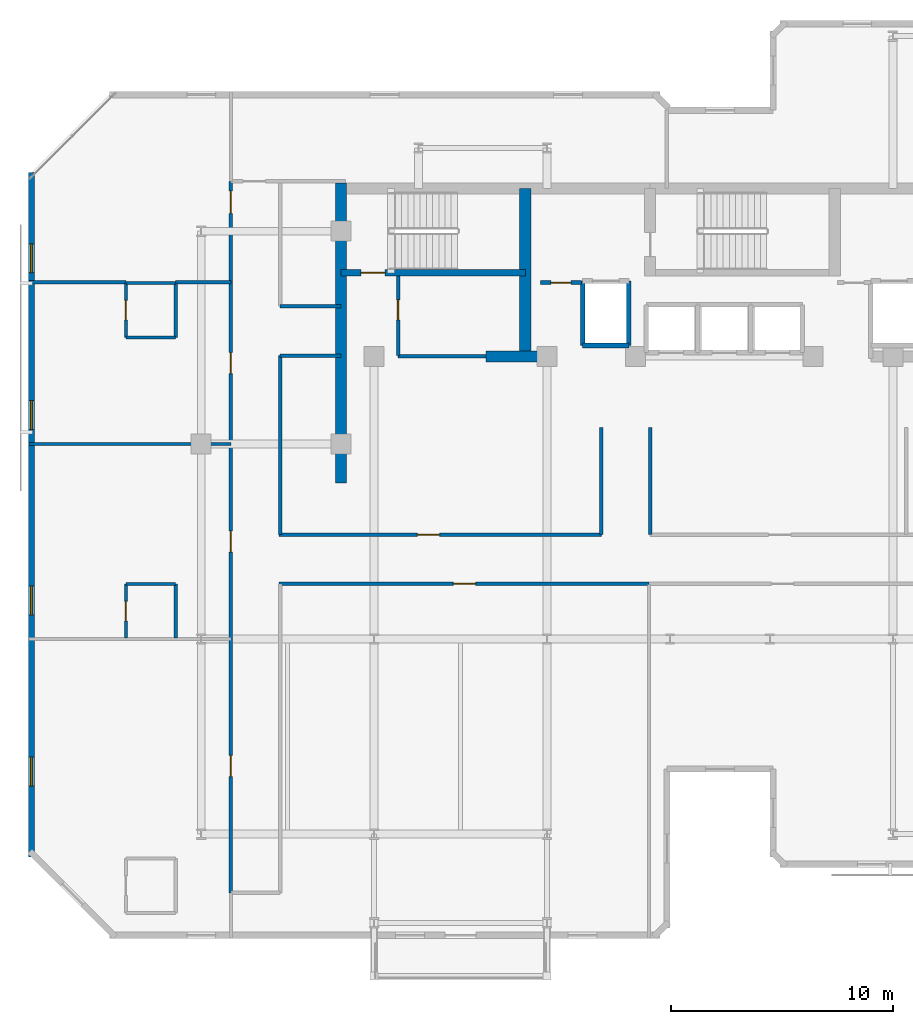
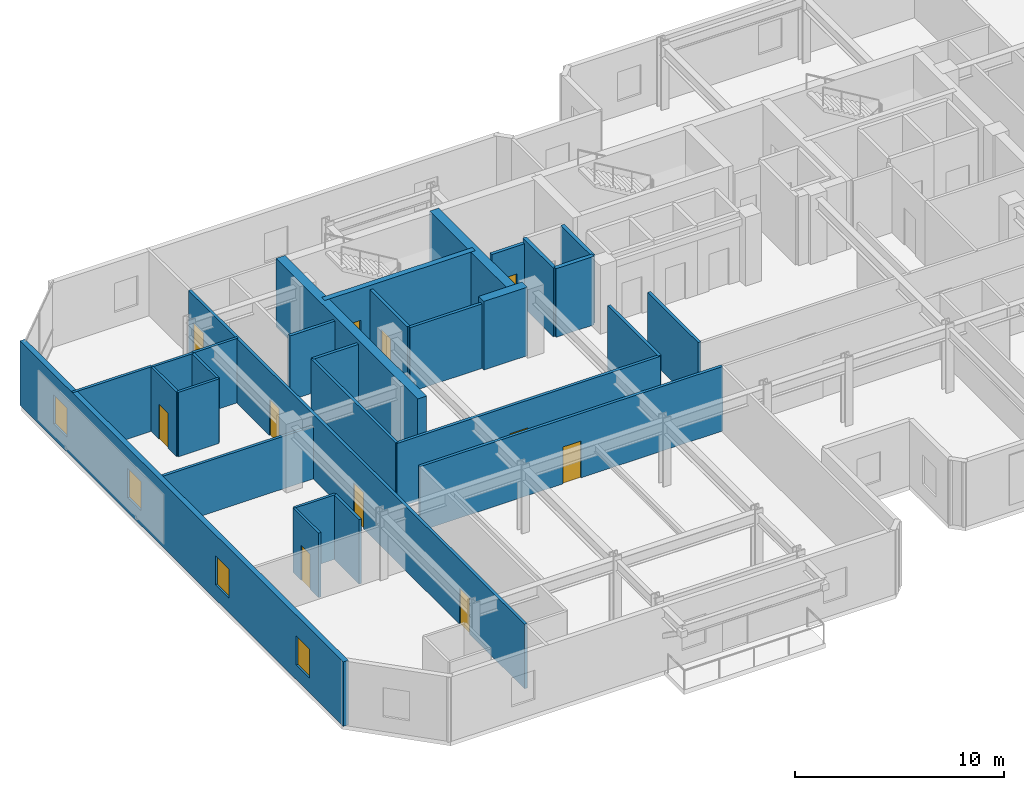
# One storey, part 4 of 10: 29 walls, 11 doors, 4 windows, 15 openings.
"""IFC4 building model written with IfcOpenShell, lengths in metres."""

from ifc_helpers import new_model, si_unit, direction, frame, frame_2d, origin, place, context, subcontext, project, spatial, rectangle, extrude, material, layer, layer_set, type_object, element, fill, save


model = new_model("IFC4")

# Units and contexts
model_context = context("Model", 3, precision=1e-05, world=origin(), true_north=direction((0.0, 1.0)))
body_context = subcontext(model_context, "Body", "Model", "MODEL_VIEW")
ifc_project = project(units=[si_unit("LENGTHUNIT", "METRE"), si_unit("AREAUNIT", "SQUARE_METRE"), si_unit("VOLUMEUNIT", "CUBIC_METRE"), si_unit("PLANEANGLEUNIT", "RADIAN"), si_unit("MASSUNIT", "GRAM", prefix="KILO")], contexts=[model_context])

# Site, building, storey
site_placement = place(None, origin())
site = spatial("IfcSite", under=ifc_project, at=site_placement, CompositionType="ELEMENT")
building_placement = place(site_placement, origin())
building = spatial("IfcBuilding", under=site, at=building_placement, Name="Kestravale Grand Hotel", CompositionType="ELEMENT")
storey_placement = place(building_placement, frame((0.0, 0.0, 277.39990234375)))
storey = spatial("IfcBuildingStorey", under=building, at=storey_placement, Name="L69", CompositionType="ELEMENT", Elevation=277.39990234375)

# Walls
ifc_material_1 = material(Name="Concrete f'c 50 MPa", Category="concrete")
ifc_layer_1 = layer(ifc_material_1, 0.5)
ifc_layer_set_1 = layer_set([ifc_layer_1], Name="EW-CORE-500")
wall_type_1 = type_object("IfcWallType", Name="EW-CORE-500", PredefinedType="SHEAR", material=ifc_layer_set_1)
wall_1_placement = place(storey_placement, frame((21.89990234375, 27.050048828125, 0.0), z_axis=(0.0, 0.0, 1.0), x_axis=(0.0, 1.0, 0.0)))
element("IfcWall", 1, at=wall_1_placement, inside=storey, type_object=wall_type_1, Name="L69 core shear wall W1", PredefinedType="SHEAR", context=body_context, shape_type="SweptSolid", body=[
    extrude(rectangle(XDim=13.52001953125, YDim=0.5, at=frame_2d((6.760009765625, 0.0))), origin(), (0.0, 0.0, 1.0), 4.0),
])
wall_2_placement = place(storey_placement, frame((28.449951171875, 32.75, 0.0), z_axis=(0.0, 0.0, 1.0), x_axis=(1.0, 0.0, 0.0)))
element("IfcWall", 2, at=wall_2_placement, inside=storey, type_object=wall_type_1, Name="L69 core shear wall S1", PredefinedType="SHEAR", context=body_context, shape_type="SweptSolid", body=[
    extrude(rectangle(XDim=2.400146484375, YDim=0.5, at=frame_2d((1.2001953125, 0.0))), origin(), (0.0, 0.0, 1.0), 4.0),
])
wall_3_placement = place(storey_placement, frame((30.219970703125, 33.0, 0.0), z_axis=(0.0, 0.0, 1.0), x_axis=(0.0, 1.0, 0.0)))
element("IfcWall", 3, at=wall_3_placement, inside=storey, type_object=wall_type_1, Name="L69 core shear wall X1", PredefinedType="SHEAR", context=body_context, shape_type="SweptSolid", body=[
    extrude(rectangle(XDim=7.320068359375, YDim=0.5, at=frame_2d((3.66015625, 0.0))), origin(), (0.0, 0.0, 1.0), 4.0),
])

# Wall, openings, windows
ifc_material_2 = material(Name="Precast concrete f'c 45 MPa", Category="concrete")
ifc_layer_2 = layer(ifc_material_2, 0.280029296875)
ifc_layer_set_2 = layer_set([ifc_layer_2], Name="EW-PREC-280")
wall_type_2 = type_object("IfcWallType", Name="EW-PREC-280", PredefinedType="SOLIDWALL", material=ifc_layer_set_2)
wall_4_placement = place(storey_placement, frame((7.93994140625, 41.0400390625, 0.0), z_axis=(0.0, 0.0, 1.0), x_axis=(0.0, -1.0, 0.0)))
wall_4 = element("IfcWall", 4, at=wall_4_placement, inside=storey, type_object=wall_type_2, Name="L69 fluted precast facade wall 19", PredefinedType="SOLIDWALL", context=body_context, shape_type="SweptSolid", body=[
    extrude(rectangle(XDim=30.880126953125, YDim=0.280029296875, at=frame_2d((15.43994140625, 0.0))), origin(), (0.0, 0.0, 1.0), 3.760009765625),
])
opening_1_placement = place(wall_4_placement, frame((3.2099609375, 0.0, 0.85009765625)))
opening_1 = element("IfcOpeningElement", 5, at=opening_1_placement, cuts=wall_4, Name="Opening W-GUEST-1300", PredefinedType="OPENING", context=body_context, shape_type="SweptSolid", body=[
    extrude(rectangle(XDim=1.300048828125, YDim=1.699951171875, at=frame_2d((0.64990234375, 0.85009765625))), frame((0.0, 0.14990234375, 0.0), z_axis=(0.0, -1.0, 0.0), x_axis=(1.0, 0.0, 0.0)), (0.0, 0.0, 1.0), 0.300048828125),
])
opening_2_placement = place(wall_4_placement, frame((10.280029296875, 0.0, 0.85009765625)))
opening_2 = element("IfcOpeningElement", 6, at=opening_2_placement, cuts=wall_4, Name="Opening W-GUEST-1300", PredefinedType="OPENING", context=body_context, shape_type="SweptSolid", body=[
    extrude(rectangle(XDim=1.300048828125, YDim=1.699951171875, at=frame_2d((0.64990234375, 0.85009765625))), frame((0.0, 0.14990234375, 0.0), z_axis=(0.0, -1.0, 0.0), x_axis=(1.0, 0.0, 0.0)), (0.0, 0.0, 1.0), 0.300048828125),
])
opening_3_placement = place(wall_4_placement, frame((18.64990234375, 0.0, 0.85009765625)))
opening_3 = element("IfcOpeningElement", 7, at=opening_3_placement, cuts=wall_4, Name="Opening W-GUEST-1300", PredefinedType="OPENING", context=body_context, shape_type="SweptSolid", body=[
    extrude(rectangle(XDim=1.300048828125, YDim=1.699951171875, at=frame_2d((0.64990234375, 0.85009765625))), frame((0.0, 0.14990234375, 0.0), z_axis=(0.0, -1.0, 0.0), x_axis=(1.0, 0.0, 0.0)), (0.0, 0.0, 1.0), 0.300048828125),
])
opening_4_placement = place(wall_4_placement, frame((26.3701171875, 0.0, 0.85009765625)))
opening_4 = element("IfcOpeningElement", 8, at=opening_4_placement, cuts=wall_4, Name="Opening W-GUEST-1300", PredefinedType="OPENING", context=body_context, shape_type="SweptSolid", body=[
    extrude(rectangle(XDim=1.300048828125, YDim=1.699951171875, at=frame_2d((0.64990234375, 0.85009765625))), frame((0.0, 0.14990234375, 0.0), z_axis=(0.0, -1.0, 0.0), x_axis=(1.0, 0.0, 0.0)), (0.0, 0.0, 1.0), 0.300048828125),
])
ifc_material_3 = material(Name="Insulated low-E double glazing in aluminium frame", Category="aluminium")
window_type = type_object("IfcWindowType", Name="W-GUEST-1300", PartitioningType="SINGLE_PANEL", PredefinedType="WINDOW", material=ifc_material_3)
window_1_placement = place(opening_1_placement, origin())
window_1 = element("IfcWindow", 9, at=window_1_placement, inside=storey, type_object=window_type, Name="L69 exterior window 19.1", OverallHeight=1.699951171875, OverallWidth=1.300048828125, PartitioningType="SINGLE_PANEL", PredefinedType="WINDOW", context=body_context, shape_type="SweptSolid", body=[
    extrude(rectangle(XDim=1.300048828125, YDim=1.699951171875, at=frame_2d((0.64990234375, 0.85009765625))), frame((0.0, 0.030029296875, 0.0), z_axis=(0.0, -1.0, 0.0), x_axis=(1.0, 0.0, 0.0)), (0.0, 0.0, 1.0), 0.06005859375),
])
fill(opening_1, window_1)
window_2_placement = place(opening_2_placement, origin())
window_2 = element("IfcWindow", 10, at=window_2_placement, inside=storey, type_object=window_type, Name="L69 exterior window 19.2", OverallHeight=1.699951171875, OverallWidth=1.300048828125, PartitioningType="SINGLE_PANEL", PredefinedType="WINDOW", context=body_context, shape_type="SweptSolid", body=[
    extrude(rectangle(XDim=1.300048828125, YDim=1.699951171875, at=frame_2d((0.64990234375, 0.85009765625))), frame((0.0, 0.030029296875, 0.0), z_axis=(0.0, -1.0, 0.0), x_axis=(1.0, 0.0, 0.0)), (0.0, 0.0, 1.0), 0.06005859375),
])
fill(opening_2, window_2)
window_3_placement = place(opening_3_placement, origin())
window_3 = element("IfcWindow", 11, at=window_3_placement, inside=storey, type_object=window_type, Name="L69 exterior window 19.3", OverallHeight=1.699951171875, OverallWidth=1.300048828125, PartitioningType="SINGLE_PANEL", PredefinedType="WINDOW", context=body_context, shape_type="SweptSolid", body=[
    extrude(rectangle(XDim=1.300048828125, YDim=1.699951171875, at=frame_2d((0.64990234375, 0.85009765625))), frame((0.0, 0.030029296875, 0.0), z_axis=(0.0, -1.0, 0.0), x_axis=(1.0, 0.0, 0.0)), (0.0, 0.0, 1.0), 0.06005859375),
])
fill(opening_3, window_3)
window_4_placement = place(opening_4_placement, origin())
window_4 = element("IfcWindow", 12, at=window_4_placement, inside=storey, type_object=window_type, Name="L69 exterior window 19.4", OverallHeight=1.699951171875, OverallWidth=1.300048828125, PartitioningType="SINGLE_PANEL", PredefinedType="WINDOW", context=body_context, shape_type="SweptSolid", body=[
    extrude(rectangle(XDim=1.300048828125, YDim=1.699951171875, at=frame_2d((0.64990234375, 0.85009765625))), frame((0.0, 0.030029296875, 0.0), z_axis=(0.0, -1.0, 0.0), x_axis=(1.0, 0.0, 0.0)), (0.0, 0.0, 1.0), 0.06005859375),
])
fill(opening_4, window_4)

# Wall, opening, door
ifc_material_4 = material(Name="Concrete f'c 45 MPa", Category="concrete")
ifc_layer_3 = layer(ifc_material_4, 0.300048828125)
ifc_layer_set_3 = layer_set([ifc_layer_3], Name="EW-STAIR-300")
wall_type_3 = type_object("IfcWallType", Name="EW-STAIR-300", PredefinedType="SHEAR", material=ifc_layer_set_3)
wall_5_placement = place(storey_placement, frame((21.89990234375, 36.52001953125, 0.0), z_axis=(0.0, 0.0, 1.0), x_axis=(1.0, 0.0, 0.0)))
wall_5 = element("IfcWall", 13, at=wall_5_placement, inside=storey, type_object=wall_type_3, Name="L69 stair enclosure shear wall SST1", PredefinedType="SHEAR", context=body_context, shape_type="SweptSolid", body=[
    extrude(rectangle(XDim=8.320068359375, YDim=0.300048828125, at=frame_2d((4.16015625, 0.0))), origin(), (0.0, 0.0, 1.0), 4.0),
])
opening_5_placement = place(wall_5_placement, frame((0.89990234375, 0.0, 0.0)))
opening_5 = element("IfcOpeningElement", 14, at=opening_5_placement, cuts=wall_5, Name="Opening D-ST-1100", PredefinedType="OPENING", context=body_context, shape_type="SweptSolid", body=[
    extrude(rectangle(XDim=1.10009765625, YDim=2.14990234375, at=frame_2d((0.550048828125, 1.074951171875))), frame((0.0, 0.159912109375, 0.0), z_axis=(0.0, -1.0, 0.0), x_axis=(1.0, 0.0, 0.0)), (0.0, 0.0, 1.0), 0.320068359375),
])
ifc_material_5 = material(Name="Galvanised 90-minute fire-rated steel stair door", Category="steel")
door_type_1 = type_object("IfcDoorType", Name="D-ST-1100", OperationType="NOTDEFINED", PredefinedType="DOOR", material=ifc_material_5)
door_1_placement = place(opening_5_placement, origin())
door_1 = element("IfcDoor", 15, at=door_1_placement, inside=storey, type_object=door_type_1, Name="L69 Stair ST-1 fire door", OperationType="SINGLE_SWING_RIGHT", OverallHeight=2.14990234375, OverallWidth=1.10009765625, PredefinedType="DOOR", context=body_context, shape_type="SweptSolid", body=[
    extrude(rectangle(XDim=1.10009765625, YDim=2.14990234375, at=frame_2d((0.550048828125, 1.074951171875))), frame((0.0, 0.02490234375, 0.0), z_axis=(0.0, -1.0, 0.0), x_axis=(1.0, 0.0, 0.0)), (0.0, 0.0, 1.0), 0.050048828125),
])
fill(opening_5, door_1)

ifc_material_6 = material(Name="Acoustic fire-rated gypsum board partition", Category="other")
ifc_layer_4 = layer(ifc_material_6, 0.159912109375)
ifc_layer_set_4 = layer_set([ifc_layer_4], Name="IW-CORR-160")
wall_type_4 = type_object("IfcWallType", Name="IW-CORR-160", PredefinedType="PARTITIONING", material=ifc_layer_set_4)
wall_6_placement = place(storey_placement, frame((24.47998046875, 32.800048828125, 0.0), z_axis=(0.0, 0.0, 1.0), x_axis=(0.0, 1.0, 0.0)))
wall_6 = element("IfcWall", 16, at=wall_6_placement, inside=storey, type_object=wall_type_4, Name="L69 west core vestibule wall", PredefinedType="PARTITIONING", context=body_context, shape_type="SweptSolid", body=[
    extrude(rectangle(XDim=3.570068359375, YDim=0.159912109375, at=frame_2d((1.78515625, 0.0))), origin(), (0.0, 0.0, 1.0), 3.760009765625),
])
opening_6_placement = place(wall_6_placement, frame((1.603515625, 0.0, 0.0)))
opening_6 = element("IfcOpeningElement", 17, at=opening_6_placement, cuts=wall_6, Name="Opening D-SH-900", PredefinedType="OPENING", context=body_context, shape_type="SweptSolid", body=[
    extrude(rectangle(XDim=0.89990234375, YDim=2.10009765625, at=frame_2d((0.449951171875, 1.050048828125))), frame((0.0, 0.08984375, 0.0), z_axis=(0.0, -1.0, 0.0), x_axis=(1.0, 0.0, 0.0)), (0.0, 0.0, 1.0), 0.179931640625),
])
ifc_material_7 = material(Name="Galvanised 90-minute shaft and service fire door", Category="steel")
door_type_2 = type_object("IfcDoorType", Name="D-SH-900", OperationType="NOTDEFINED", PredefinedType="DOOR", material=ifc_material_7)
door_2_placement = place(opening_6_placement, origin())
door_2 = element("IfcDoor", 18, at=door_2_placement, inside=storey, type_object=door_type_2, Name="D-L69-HK", OperationType="SINGLE_SWING_RIGHT", OverallHeight=2.10009765625, OverallWidth=0.89990234375, PredefinedType="DOOR", context=body_context, shape_type="SweptSolid", body=[
    extrude(rectangle(XDim=0.89990234375, YDim=2.10009765625, at=frame_2d((0.449951171875, 1.050048828125))), frame((0.0, 0.02490234375, 0.0), z_axis=(0.0, -1.0, 0.0), x_axis=(1.0, 0.0, 0.0)), (0.0, 0.0, 1.0), 0.050048828125),
])
fill(opening_6, door_2)

# Wall
wall_7_placement = place(storey_placement, frame((24.47998046875, 32.75, 0.0), z_axis=(0.0, 0.0, 1.0), x_axis=(1.0, 0.0, 0.0)))
element("IfcWall", 19, at=wall_7_placement, inside=storey, type_object=wall_type_4, Name="W-L69-CWS", PredefinedType="PARTITIONING", context=body_context, shape_type="SweptSolid", body=[
    extrude(rectangle(XDim=3.969970703125, YDim=0.159912109375, at=frame_2d((1.98486328125, 0.0))), origin(), (0.0, 0.0, 1.0), 3.760009765625),
])

# Wall, opening, door
wall_8_placement = place(storey_placement, frame((19.10009765625, 24.7099609375, 0.0), z_axis=(0.0, 0.0, 1.0), x_axis=(1.0, 0.0, 0.0)))
wall_8 = element("IfcWall", 20, at=wall_8_placement, inside=storey, type_object=wall_type_4, Name="W-L69-CW-N", PredefinedType="PARTITIONING", context=body_context, shape_type="SweptSolid", body=[
    extrude(rectangle(XDim=14.5498046875, YDim=0.159912109375, at=frame_2d((7.27490234375, 0.0))), origin(), (0.0, 0.0, 1.0), 3.760009765625),
])
opening_7_placement = place(wall_8_placement, frame((6.25, 0.0, 0.0)))
opening_7 = element("IfcOpeningElement", 21, at=opening_7_placement, cuts=wall_8, Name="Opening D-GUEST-1000", PredefinedType="OPENING", context=body_context, shape_type="SweptSolid", body=[
    extrude(rectangle(XDim=1.0, YDim=2.14990234375, at=frame_2d((0.5, 1.074951171875))), frame((0.0, 0.08984375, 0.0), z_axis=(0.0, -1.0, 0.0), x_axis=(1.0, 0.0, 0.0)), (0.0, 0.0, 1.0), 0.179931640625),
])
ifc_material_8 = material(Name="Accessible walnut veneer hotel entrance fire door", Category="wood")
door_type_3 = type_object("IfcDoorType", Name="D-GUEST-1000", OperationType="NOTDEFINED", PredefinedType="DOOR", material=ifc_material_8)
door_3_placement = place(opening_7_placement, origin())
door_3 = element("IfcDoor", 22, at=door_3_placement, inside=storey, type_object=door_type_3, Name="D-L69-RECL-W", OperationType="SINGLE_SWING_RIGHT", OverallHeight=2.14990234375, OverallWidth=1.0, PredefinedType="DOOR", context=body_context, shape_type="SweptSolid", body=[
    extrude(rectangle(XDim=1.0, YDim=2.14990234375, at=frame_2d((0.5, 1.074951171875))), frame((0.0, 0.02490234375, 0.0), z_axis=(0.0, -1.0, 0.0), x_axis=(1.0, 0.0, 0.0)), (0.0, 0.0, 1.0), 0.050048828125),
])
fill(opening_7, door_3)

# Walls
for number, where, z_axis, x_axis, name in (
    (23, (33.64990234375, 24.7099609375, 0.0), (0.0, 0.0, 1.0), (0.0, 1.0, 0.0), "W-L69-TRUNK-W"),
    (24, (35.85009765625, 24.7099609375, 0.0), (0.0, 0.0, 1.0), (0.0, 1.0, 0.0), "W-L69-TRUNK-E"),
):
    element("IfcWall", number, at=place(storey_placement, frame(where, z_axis=z_axis, x_axis=x_axis)), inside=storey, type_object=wall_type_4, Name=name, PredefinedType="PARTITIONING", context=body_context, shape_type="SweptSolid", body=[
        extrude(rectangle(XDim=4.840087890625, YDim=0.159912109375, at=frame_2d((2.419921875, 0.0))), origin(), (0.0, 0.0, 1.0), 3.760009765625),
    ])

# Wall, opening, door
wall_9_placement = place(storey_placement, frame((19.10009765625, 22.489990234375, 0.0), z_axis=(0.0, 0.0, 1.0), x_axis=(1.0, 0.0, 0.0)))
wall_9 = element("IfcWall", 25, at=wall_9_placement, inside=storey, type_object=wall_type_4, Name="W-L69-CW-S", PredefinedType="PARTITIONING", context=body_context, shape_type="SweptSolid", body=[
    extrude(rectangle(XDim=16.699951171875, YDim=0.159912109375, at=frame_2d((8.35009765625, 0.0))), origin(), (0.0, 0.0, 1.0), 3.760009765625),
])
opening_8_placement = place(wall_9_placement, frame((7.8798828125, 0.0, 0.0)))
opening_8 = element("IfcOpeningElement", 26, at=opening_8_placement, cuts=wall_9, Name="Opening D-GUEST-1000", PredefinedType="OPENING", context=body_context, shape_type="SweptSolid", body=[
    extrude(rectangle(XDim=1.0, YDim=2.14990234375, at=frame_2d((0.5, 1.074951171875))), frame((0.0, 0.08984375, 0.0), z_axis=(0.0, -1.0, 0.0), x_axis=(1.0, 0.0, 0.0)), (0.0, 0.0, 1.0), 0.179931640625),
])
door_4_placement = place(opening_8_placement, origin())
door_4 = element("IfcDoor", 27, at=door_4_placement, inside=storey, type_object=door_type_3, Name="D-L69-AMW", OperationType="SINGLE_SWING_LEFT", OverallHeight=2.14990234375, OverallWidth=1.0, PredefinedType="DOOR", context=body_context, shape_type="SweptSolid", body=[
    extrude(rectangle(XDim=1.0, YDim=2.14990234375, at=frame_2d((0.5, 1.074951171875))), frame((0.0, 0.02490234375, 0.0), z_axis=(0.0, -1.0, 0.0), x_axis=(1.0, 0.0, 0.0)), (0.0, 0.0, 1.0), 0.050048828125),
])
fill(opening_8, door_4)

# Wall, openings, doors
wall_10_placement = place(storey_placement, frame((16.93994140625, 8.550048828125, 0.0), z_axis=(0.0, 0.0, 1.0), x_axis=(0.0, 1.0, 0.0)))
wall_10 = element("IfcWall", 28, at=wall_10_placement, inside=storey, type_object=wall_type_4, Name="W-L69-SW-W", PredefinedType="PARTITIONING", context=body_context, shape_type="SweptSolid", body=[
    extrude(rectangle(XDim=32.099853515625, YDim=0.159912109375, at=frame_2d((16.0498046875, 0.0))), origin(), (0.0, 0.0, 1.0), 3.760009765625),
])
opening_9_placement = place(wall_10_placement, frame((5.25, 0.0, 0.0)))
opening_9 = element("IfcOpeningElement", 29, at=opening_9_placement, cuts=wall_10, Name="Opening D-GUEST-950", PredefinedType="OPENING", context=body_context, shape_type="SweptSolid", body=[
    extrude(rectangle(XDim=0.949951171875, YDim=2.10009765625, at=frame_2d((0.47509765625, 1.050048828125))), frame((0.0, 0.08984375, 0.0), z_axis=(0.0, -1.0, 0.0), x_axis=(1.0, 0.0, 0.0)), (0.0, 0.0, 1.0), 0.179931640625),
])
opening_10_placement = place(wall_10_placement, frame((15.375, 0.0, 0.0)))
opening_10 = element("IfcOpeningElement", 30, at=opening_10_placement, cuts=wall_10, Name="Opening D-GUEST-950", PredefinedType="OPENING", context=body_context, shape_type="SweptSolid", body=[
    extrude(rectangle(XDim=0.949951171875, YDim=2.10009765625, at=frame_2d((0.47509765625, 1.050048828125))), frame((0.0, 0.08984375, 0.0), z_axis=(0.0, -1.0, 0.0), x_axis=(1.0, 0.0, 0.0)), (0.0, 0.0, 1.0), 0.179931640625),
])
opening_11_placement = place(wall_10_placement, frame((23.425048828125, 0.0, 0.0)))
opening_11 = element("IfcOpeningElement", 31, at=opening_11_placement, cuts=wall_10, Name="Opening D-GUEST-950", PredefinedType="OPENING", context=body_context, shape_type="SweptSolid", body=[
    extrude(rectangle(XDim=0.949951171875, YDim=2.10009765625, at=frame_2d((0.47509765625, 1.050048828125))), frame((0.0, 0.08984375, 0.0), z_axis=(0.0, -1.0, 0.0), x_axis=(1.0, 0.0, 0.0)), (0.0, 0.0, 1.0), 0.179931640625),
])
opening_12_placement = place(wall_10_placement, frame((30.659912109375, 0.0, 0.0)))
opening_12 = element("IfcOpeningElement", 32, at=opening_12_placement, cuts=wall_10, Name="Opening D-GUEST-1000", PredefinedType="OPENING", context=body_context, shape_type="SweptSolid", body=[
    extrude(rectangle(XDim=1.0, YDim=2.14990234375, at=frame_2d((0.5, 1.074951171875))), frame((0.0, 0.08984375, 0.0), z_axis=(0.0, -1.0, 0.0), x_axis=(1.0, 0.0, 0.0)), (0.0, 0.0, 1.0), 0.179931640625),
])
door_5_placement = place(opening_12_placement, origin())
door_5 = element("IfcDoor", 33, at=door_5_placement, inside=storey, type_object=door_type_3, Name="D-L69-AMWW", OperationType="SINGLE_SWING_LEFT", OverallHeight=2.14990234375, OverallWidth=1.0, PredefinedType="DOOR", context=body_context, shape_type="SweptSolid", body=[
    extrude(rectangle(XDim=1.0, YDim=2.14990234375, at=frame_2d((0.5, 1.074951171875))), frame((0.0, 0.02490234375, 0.0), z_axis=(0.0, -1.0, 0.0), x_axis=(1.0, 0.0, 0.0)), (0.0, 0.0, 1.0), 0.050048828125),
])
fill(opening_12, door_5)
ifc_material_9 = material(Name="Walnut veneer hotel guestroom entrance fire door", Category="wood")
door_type_4 = type_object("IfcDoorType", Name="D-GUEST-950", OperationType="NOTDEFINED", PredefinedType="DOOR", material=ifc_material_9)
door_6_placement = place(opening_9_placement, origin())
door_6 = element("IfcDoor", 34, at=door_6_placement, inside=storey, type_object=door_type_4, Name="D-L69-U02-ENT", OperationType="SINGLE_SWING_RIGHT", OverallHeight=2.10009765625, OverallWidth=0.949951171875, PredefinedType="DOOR", context=body_context, shape_type="SweptSolid", body=[
    extrude(rectangle(XDim=0.949951171875, YDim=2.10009765625, at=frame_2d((0.47509765625, 1.050048828125))), frame((0.0, 0.02490234375, 0.0), z_axis=(0.0, -1.0, 0.0), x_axis=(1.0, 0.0, 0.0)), (0.0, 0.0, 1.0), 0.050048828125),
])
fill(opening_9, door_6)
door_7_placement = place(opening_10_placement, origin())
door_7 = element("IfcDoor", 35, at=door_7_placement, inside=storey, type_object=door_type_4, Name="D-L69-U03-ENT", OperationType="SINGLE_SWING_RIGHT", OverallHeight=2.10009765625, OverallWidth=0.949951171875, PredefinedType="DOOR", context=body_context, shape_type="SweptSolid", body=[
    extrude(rectangle(XDim=0.949951171875, YDim=2.10009765625, at=frame_2d((0.47509765625, 1.050048828125))), frame((0.0, 0.02490234375, 0.0), z_axis=(0.0, -1.0, 0.0), x_axis=(1.0, 0.0, 0.0)), (0.0, 0.0, 1.0), 0.050048828125),
])
fill(opening_10, door_7)
door_8_placement = place(opening_11_placement, origin())
door_8 = element("IfcDoor", 36, at=door_8_placement, inside=storey, type_object=door_type_4, Name="D-L69-U04-ENT", OperationType="SINGLE_SWING_RIGHT", OverallHeight=2.10009765625, OverallWidth=0.949951171875, PredefinedType="DOOR", context=body_context, shape_type="SweptSolid", body=[
    extrude(rectangle(XDim=0.949951171875, YDim=2.10009765625, at=frame_2d((0.47509765625, 1.050048828125))), frame((0.0, 0.02490234375, 0.0), z_axis=(0.0, -1.0, 0.0), x_axis=(1.0, 0.0, 0.0)), (0.0, 0.0, 1.0), 0.050048828125),
])
fill(opening_11, door_8)

# Walls
for number, where, z_axis, x_axis, name in (
    (37, (19.159912109375, 35.02001953125, 0.0), (0.0, 0.0, 1.0), (1.0, 0.0, 0.0), "W-L69-SW-CN"),
    (38, (19.159912109375, 32.780029296875, 0.0), (0.0, 0.0, 1.0), (1.0, 0.0, 0.0), "W-L69-SW-CS"),
):
    element("IfcWall", number, at=place(storey_placement, frame(where, z_axis=z_axis, x_axis=x_axis)), inside=storey, type_object=wall_type_4, Name=name, PredefinedType="PARTITIONING", context=body_context, shape_type="SweptSolid", body=[
        extrude(rectangle(XDim=2.739990234375, YDim=0.159912109375, at=frame_2d((1.3701171875, 0.0))), origin(), (0.0, 0.0, 1.0), 3.760009765625),
    ])

# Wall, opening, door
ifc_material_10 = material(Name="Fire-rated gypsum board on steel studs with mineral wool", Category="steel")
ifc_layer_5 = layer(ifc_material_10, 0.179931640625)
ifc_layer_set_5 = layer_set([ifc_layer_5], Name="IW-FSAE-180")
wall_type_5 = type_object("IfcWallType", Name="IW-FSAE-180", PredefinedType="PARTITIONING", material=ifc_layer_set_5)
wall_11_placement = place(storey_placement, frame((30.89990234375, 36.080078125, 0.0), z_axis=(0.0, 0.0, 1.0), x_axis=(1.0, 0.0, 0.0)))
wall_11 = element("IfcWall", 39, at=wall_11_placement, inside=storey, type_object=wall_type_5, Name="L69 FSAE Lobby 1 smoke barrier", PredefinedType="PARTITIONING", context=body_context, shape_type="SweptSolid", body=[
    extrude(rectangle(XDim=1.85009765625, YDim=0.179931640625, at=frame_2d((0.925048828125, 0.0))), origin(), (0.0, 0.0, 1.0), 3.760009765625),
])
opening_13_placement = place(wall_11_placement, frame((0.47998046875, 0.0, 0.0)))
opening_13 = element("IfcOpeningElement", 40, at=opening_13_placement, cuts=wall_11, Name="Opening D-FSAE-1000", PredefinedType="OPENING", context=body_context, shape_type="SweptSolid", body=[
    extrude(rectangle(XDim=0.89990234375, YDim=2.14990234375, at=frame_2d((0.449951171875, 1.074951171875))), frame((0.0, 0.099853515625, 0.0), z_axis=(0.0, -1.0, 0.0), x_axis=(1.0, 0.0, 0.0)), (0.0, 0.0, 1.0), 0.199951171875),
])
ifc_material_11 = material(Name="Smoke-gasketed FSAE lobby fire door", Category="steel")
door_type_5 = type_object("IfcDoorType", Name="D-FSAE-1000", OperationType="NOTDEFINED", PredefinedType="DOOR", material=ifc_material_11)
door_9_placement = place(opening_13_placement, origin())
door_9 = element("IfcDoor", 41, at=door_9_placement, inside=storey, type_object=door_type_5, Name="L69 FSAE Lobby 1 fire door", OperationType="SINGLE_SWING_RIGHT", OverallHeight=2.14990234375, OverallWidth=0.89990234375, PredefinedType="DOOR", context=body_context, shape_type="SweptSolid", body=[
    extrude(rectangle(XDim=0.89990234375, YDim=2.14990234375, at=frame_2d((0.449951171875, 1.074951171875))), frame((0.0, 0.02490234375, 0.0), z_axis=(0.0, -1.0, 0.0), x_axis=(1.0, 0.0, 0.0)), (0.0, 0.0, 1.0), 0.050048828125),
])
fill(opening_13, door_9)

ifc_material_12 = material(Name="Moisture-resistant tile-backer plumbing chase wall", Category="other")
ifc_layer_6 = layer(ifc_material_12, 0.139892578125)
ifc_layer_set_6 = layer_set([ifc_layer_6], Name="IW-PLB-140")
wall_type_6 = type_object("IfcWallType", Name="IW-PLB-140", PredefinedType="PLUMBINGWALL", material=ifc_layer_set_6)
wall_12_placement = place(storey_placement, frame((12.199951171875, 20.0400390625, 0.0), z_axis=(0.0, 0.0, 1.0), x_axis=(0.0, 1.0, 0.0)))
wall_12 = element("IfcWall", 42, at=wall_12_placement, inside=storey, type_object=wall_type_6, Name="W-L69-U03-BW", PredefinedType="PLUMBINGWALL", context=body_context, shape_type="SweptSolid", body=[
    extrude(rectangle(XDim=2.449951171875, YDim=0.139892578125, at=frame_2d((1.22509765625, 0.0))), origin(), (0.0, 0.0, 1.0), 3.760009765625),
])
opening_14_placement = place(wall_12_placement, frame((0.784912109375, 0.0, 0.0)))
opening_14 = element("IfcOpeningElement", 43, at=opening_14_placement, cuts=wall_12, Name="Opening D-BATH-880", PredefinedType="OPENING", context=body_context, shape_type="SweptSolid", body=[
    extrude(rectangle(XDim=0.8798828125, YDim=2.050048828125, at=frame_2d((0.43994140625, 1.02490234375))), frame((0.0, 0.079833984375, 0.0), z_axis=(0.0, -1.0, 0.0), x_axis=(1.0, 0.0, 0.0)), (0.0, 0.0, 1.0), 0.159912109375),
])
ifc_material_13 = material(Name="Moisture-sealed walnut en-suite bathroom door", Category="wood")
door_type_6 = type_object("IfcDoorType", Name="D-BATH-880", OperationType="NOTDEFINED", PredefinedType="DOOR", material=ifc_material_13)
door_10_placement = place(opening_14_placement, origin())
door_10 = element("IfcDoor", 44, at=door_10_placement, inside=storey, type_object=door_type_6, Name="D-L69-U03-BATH", OperationType="SINGLE_SWING_LEFT", OverallHeight=2.050048828125, OverallWidth=0.8798828125, PredefinedType="DOOR", context=body_context, shape_type="SweptSolid", body=[
    extrude(rectangle(XDim=0.8798828125, YDim=2.050048828125, at=frame_2d((0.43994140625, 1.02490234375))), frame((0.0, 0.02490234375, 0.0), z_axis=(0.0, -1.0, 0.0), x_axis=(1.0, 0.0, 0.0)), (0.0, 0.0, 1.0), 0.050048828125),
])
fill(opening_14, door_10)

# Walls
wall_13_placement = place(storey_placement, frame((14.449951171875, 20.0400390625, 0.0), z_axis=(0.0, 0.0, 1.0), x_axis=(0.0, 1.0, 0.0)))
element("IfcWall", 45, at=wall_13_placement, inside=storey, type_object=wall_type_6, Name="W-L69-U03-BE", PredefinedType="PLUMBINGWALL", context=body_context, shape_type="SweptSolid", body=[
    extrude(rectangle(XDim=2.449951171875, YDim=0.139892578125, at=frame_2d((1.22509765625, 0.0))), origin(), (0.0, 0.0, 1.0), 3.760009765625),
])
wall_14_placement = place(storey_placement, frame((12.199951171875, 22.489990234375, 0.0), z_axis=(0.0, 0.0, 1.0), x_axis=(1.0, 0.0, 0.0)))
element("IfcWall", 46, at=wall_14_placement, inside=storey, type_object=wall_type_6, Name="W-L69-U03-BN", PredefinedType="PLUMBINGWALL", context=body_context, shape_type="SweptSolid", body=[
    extrude(rectangle(XDim=2.25, YDim=0.139892578125, at=frame_2d((1.125, 0.0))), origin(), (0.0, 0.0, 1.0), 3.760009765625),
])

# Wall, opening, door
wall_15_placement = place(storey_placement, frame((12.199951171875, 33.610107421875, 0.0), z_axis=(0.0, 0.0, 1.0), x_axis=(0.0, 1.0, 0.0)))
wall_15 = element("IfcWall", 47, at=wall_15_placement, inside=storey, type_object=wall_type_6, Name="W-L69-U04-BW", PredefinedType="PLUMBINGWALL", context=body_context, shape_type="SweptSolid", body=[
    extrude(rectangle(XDim=2.449951171875, YDim=0.139892578125, at=frame_2d((1.22509765625, 0.0))), origin(), (0.0, 0.0, 1.0), 3.760009765625),
])
opening_15_placement = place(wall_15_placement, frame((0.784912109375, 0.0, 0.0)))
opening_15 = element("IfcOpeningElement", 48, at=opening_15_placement, cuts=wall_15, Name="Opening D-BATH-880", PredefinedType="OPENING", context=body_context, shape_type="SweptSolid", body=[
    extrude(rectangle(XDim=0.8798828125, YDim=2.050048828125, at=frame_2d((0.43994140625, 1.02490234375))), frame((0.0, 0.079833984375, 0.0), z_axis=(0.0, -1.0, 0.0), x_axis=(1.0, 0.0, 0.0)), (0.0, 0.0, 1.0), 0.159912109375),
])
door_11_placement = place(opening_15_placement, origin())
door_11 = element("IfcDoor", 49, at=door_11_placement, inside=storey, type_object=door_type_6, Name="D-L69-U04-BATH", OperationType="SINGLE_SWING_LEFT", OverallHeight=2.050048828125, OverallWidth=0.8798828125, PredefinedType="DOOR", context=body_context, shape_type="SweptSolid", body=[
    extrude(rectangle(XDim=0.8798828125, YDim=2.050048828125, at=frame_2d((0.43994140625, 1.02490234375))), frame((0.0, 0.02490234375, 0.0), z_axis=(0.0, -1.0, 0.0), x_axis=(1.0, 0.0, 0.0)), (0.0, 0.0, 1.0), 0.050048828125),
])
fill(opening_15, door_11)

# Walls
wall_16_placement = place(storey_placement, frame((14.449951171875, 33.610107421875, 0.0), z_axis=(0.0, 0.0, 1.0), x_axis=(0.0, 1.0, 0.0)))
element("IfcWall", 50, at=wall_16_placement, inside=storey, type_object=wall_type_6, Name="W-L69-U04-BE", PredefinedType="PLUMBINGWALL", context=body_context, shape_type="SweptSolid", body=[
    extrude(rectangle(XDim=2.449951171875, YDim=0.139892578125, at=frame_2d((1.22509765625, 0.0))), origin(), (0.0, 0.0, 1.0), 3.760009765625),
])
for number, where, z_axis, x_axis, name in (
    (51, (12.199951171875, 33.610107421875, 0.0), (0.0, 0.0, 1.0), (1.0, 0.0, 0.0), "W-L69-U04-BS"),
    (52, (12.199951171875, 36.06005859375, 0.0), (0.0, 0.0, 1.0), (1.0, 0.0, 0.0), "W-L69-U04-BN"),
):
    element("IfcWall", number, at=place(storey_placement, frame(where, z_axis=z_axis, x_axis=x_axis)), inside=storey, type_object=wall_type_6, Name=name, PredefinedType="PLUMBINGWALL", context=body_context, shape_type="SweptSolid", body=[
        extrude(rectangle(XDim=2.25, YDim=0.139892578125, at=frame_2d((1.125, 0.0))), origin(), (0.0, 0.0, 1.0), 3.760009765625),
    ])
ifc_material_14 = material(Name="Concrete f'c 45 MPa", Category="concrete")
ifc_layer_7 = layer(ifc_material_14, 0.199951171875)
ifc_layer_set_7 = layer_set([ifc_layer_7], Name="IW-SHAFT-200")
wall_type_7 = type_object("IfcWallType", Name="IW-SHAFT-200", PredefinedType="SHEAR", material=ifc_layer_set_7)
for number, where, z_axis, x_axis, name in (
    (53, (32.804931640625, 33.2451171875, 0.0), (0.0, 0.0, 1.0), (0.0, 1.0, 0.0), "L69 FL-1 west shaft wall"),
    (54, (34.89501953125, 33.2451171875, 0.0), (0.0, 0.0, 1.0), (0.0, 1.0, 0.0), "L69 FL-1 east shaft wall"),
):
    element("IfcWall", number, at=place(storey_placement, frame(where, z_axis=z_axis, x_axis=x_axis)), inside=storey, type_object=wall_type_7, Name=name, PredefinedType="SHEAR", context=body_context, shape_type="SweptSolid", body=[
        extrude(rectangle(XDim=2.909912109375, YDim=0.199951171875, at=frame_2d((1.455078125, 0.0))), origin(), (0.0, 0.0, 1.0), 4.0),
    ])
ifc_material_15 = material(Name="Concrete f'c 45 MPa", Category="concrete")
ifc_layer_8 = layer(ifc_material_15, 0.219970703125)
ifc_layer_set_8 = layer_set([ifc_layer_8], Name="IW-SHAFT-220")
wall_type_8 = type_object("IfcWallType", Name="IW-SHAFT-220", PredefinedType="SHEAR", material=ifc_layer_set_8)
wall_17_placement = place(storey_placement, frame((32.804931640625, 33.2451171875, 0.0), z_axis=(0.0, 0.0, 1.0), x_axis=(1.0, 0.0, 0.0)))
element("IfcWall", 55, at=wall_17_placement, inside=storey, type_object=wall_type_8, Name="L69 FL-1 south shaft wall", PredefinedType="SHEAR", context=body_context, shape_type="SweptSolid", body=[
    extrude(rectangle(XDim=2.090087890625, YDim=0.219970703125, at=frame_2d((1.044921875, 0.0))), origin(), (0.0, 0.0, 1.0), 4.0),
])
ifc_material_16 = material(Name="Double-stud STC 52 acoustic demising partition", Category="other")
ifc_layer_9 = layer(ifc_material_16, 0.14990234375)
ifc_layer_set_9 = layer_set([ifc_layer_9], Name="IW-UNIT-150")
wall_type_9 = type_object("IfcWallType", Name="IW-UNIT-150", PredefinedType="PARTITIONING", material=ifc_layer_set_9)
wall_18_placement = place(storey_placement, frame((19.159912109375, 24.7099609375, 0.0), z_axis=(0.0, 0.0, 1.0), x_axis=(0.0, 1.0, 0.0)))
element("IfcWall", 56, at=wall_18_placement, inside=storey, type_object=wall_type_9, Name="W-L69-RCLW-W", PredefinedType="PARTITIONING", context=body_context, shape_type="SweptSolid", body=[
    extrude(rectangle(XDim=8.090087890625, YDim=0.14990234375, at=frame_2d((4.044921875, 0.0))), origin(), (0.0, 0.0, 1.0), 3.760009765625),
])
wall_19_placement = place(storey_placement, frame((7.820068359375, 28.800048828125, 0.0), z_axis=(0.0, 0.0, 1.0), x_axis=(1.0, 0.0, 0.0)))
element("IfcWall", 57, at=wall_19_placement, inside=storey, type_object=wall_type_9, Name="W-L69-WW-2", PredefinedType="PARTITIONING", context=body_context, shape_type="SweptSolid", body=[
    extrude(rectangle(XDim=9.119873046875, YDim=0.14990234375, at=frame_2d((4.56005859375, 0.0))), origin(), (0.0, 0.0, 1.0), 3.064208984375),
])
wall_20_placement = place(storey_placement, frame((7.820068359375, 36.10009765625, 0.0), z_axis=(0.0, 0.0, 1.0), x_axis=(1.0, 0.0, 0.0)))
element("IfcWall", 58, at=wall_20_placement, inside=storey, type_object=wall_type_9, Name="W-L69-WW-3", PredefinedType="PARTITIONING", context=body_context, shape_type="SweptSolid", body=[
    extrude(rectangle(XDim=4.3798828125, YDim=0.14990234375, at=frame_2d((2.18994140625, 0.0))), origin(), (0.0, 0.0, 1.0), 3.760009765625),
])
wall_21_placement = place(storey_placement, frame((14.449951171875, 36.10009765625, 0.0), z_axis=(0.0, 0.0, 1.0), x_axis=(1.0, 0.0, 0.0)))
element("IfcWall", 59, at=wall_21_placement, inside=storey, type_object=wall_type_9, Name="W-L69-WW-3", PredefinedType="PARTITIONING", context=body_context, shape_type="SweptSolid", body=[
    extrude(rectangle(XDim=2.489990234375, YDim=0.14990234375, at=frame_2d((1.2451171875, 0.0))), origin(), (0.0, 0.0, 1.0), 3.760009765625),
])

save(model, "model.ifc")
